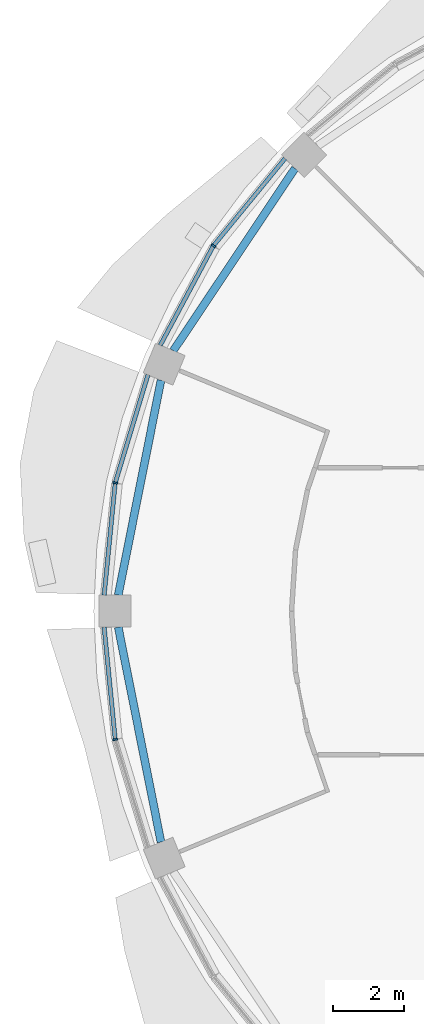
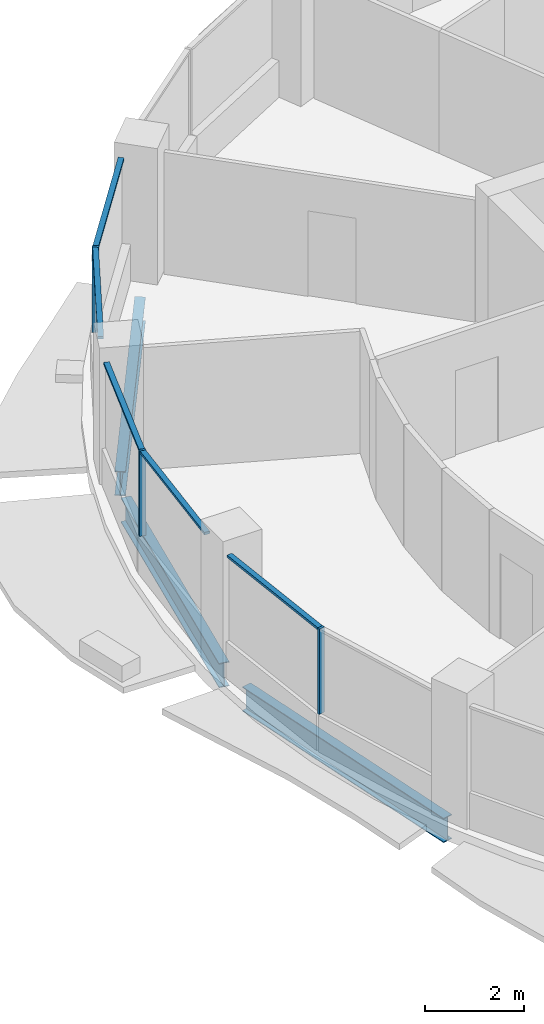
# One storey, part 4 of 15: 8 members, 3 beams, 3 elements without a shape of their own.
"""IFC4 building model written with IfcOpenShell, lengths in metres."""

from ifc_helpers import new_model, si_unit, direction, frame, origin, origin_2d, place, context, subcontext, project, spatial, rectangle, i_section, extrude, material, material_profile, profile_set, type_object, element, aggregate, save


model = new_model("IFC4")

# Units and contexts
model_context = context("Model", 3, precision=1e-05, world=origin(), true_north=direction((0.0, 1.0)))
body_context = subcontext(model_context, "Body", "Model", "MODEL_VIEW")
ifc_project = project(units=[si_unit("LENGTHUNIT", "METRE"), si_unit("AREAUNIT", "SQUARE_METRE"), si_unit("VOLUMEUNIT", "CUBIC_METRE"), si_unit("PLANEANGLEUNIT", "RADIAN"), si_unit("MASSUNIT", "GRAM", prefix="KILO")], contexts=[model_context])

# Site, building, storey
site_placement = place(None, origin())
site = spatial("IfcSite", under=ifc_project, at=site_placement, CompositionType="ELEMENT")
building_placement = place(site_placement, origin())
building = spatial("IfcBuilding", under=site, at=building_placement, Name="Polderwave Tower", CompositionType="ELEMENT")
storey_placement = place(building_placement, frame((0.0, 0.0, 167.550048828125)))
storey = spatial("IfcBuildingStorey", under=building, at=storey_placement, Name="L44", CompositionType="ELEMENT", Elevation=167.550048828125)

# Curtain wall, member
ifc_material_1 = material(Name="Aluminium 6063-T6 and glass", Category="aluminium")
curtain_wall_type = type_object("IfcCurtainWallType", Name="Office ribbon glazing wall", PredefinedType="NOTDEFINED", material=ifc_material_1)
curtain_wall_1_placement = place(storey_placement, origin())
curtain_wall_1 = element("IfcCurtainWall", 1, at=curtain_wall_1_placement, inside=storey, type_object=curtain_wall_type, Name="CW3 L44 06", PredefinedType="NOTDEFINED")
ifc_material_2 = material(Name="Aluminium 6063-T6", Category="aluminium")
ifc_material_profile_1 = material_profile(ifc_material_2, rectangle(XDim=0.139892578125, YDim=0.054931640625, at=origin_2d()), Name="AL 55x140")
ifc_profile_set_1 = profile_set([ifc_material_profile_1], Name="Aluminium 6063-T6")
member_type_1 = type_object("IfcMemberType", Name="Office ribbon glazing mullion 55x140", PredefinedType="MULLION", material=ifc_profile_set_1)
member_1_placement = place(storey_placement, frame((-15.341064453125, 10.25, 0.89990234375), z_axis=(0.0, 0.0, 1.0), x_axis=(0.831547176436, -0.555454132545, 0.0)))
member_1 = element("IfcMember", 2, at=member_1_placement, type_object=member_type_1, Name="CW3 mullion 1", PredefinedType="MULLION", context=body_context, shape_type="SweptSolid", body=[
    extrude(rectangle(XDim=0.139892578125, YDim=0.054931640625, at=origin_2d()), origin(), (0.0, 0.0, 1.0), 2.10009765625),
])

curtain_wall_2_placement = place(storey_placement, origin())
curtain_wall_2 = element("IfcCurtainWall", 3, at=curtain_wall_2_placement, inside=storey, type_object=curtain_wall_type, Name="CW3 L44 07", PredefinedType="NOTDEFINED")
member_2_placement = place(storey_placement, frame((-18.094970703125, 3.59912109375, 0.89990234375), z_axis=(0.0, 0.0, 1.0), x_axis=(0.980783918392, -0.195097169184, 0.0)))
member_2 = element("IfcMember", 4, at=member_2_placement, type_object=member_type_1, Name="CW3 mullion 1", PredefinedType="MULLION", context=body_context, shape_type="SweptSolid", body=[
    extrude(rectangle(XDim=0.139892578125, YDim=0.054931640625, at=origin_2d()), origin(), (0.0, 0.0, 1.0), 2.10009765625),
])

curtain_wall_3_placement = place(storey_placement, origin())
curtain_wall_3 = element("IfcCurtainWall", 5, at=curtain_wall_3_placement, inside=storey, type_object=curtain_wall_type, Name="CW3 L44 08", PredefinedType="NOTDEFINED")
member_3_placement = place(storey_placement, frame((-18.094970703125, -3.59912109375, 0.89990234375), z_axis=(0.0, 0.0, 1.0), x_axis=(0.980783918392, 0.195097169184, 0.0)))
member_3 = element("IfcMember", 6, at=member_3_placement, type_object=member_type_1, Name="CW3 mullion 1", PredefinedType="MULLION", context=body_context, shape_type="SweptSolid", body=[
    extrude(rectangle(XDim=0.139892578125, YDim=0.054931640625, at=origin_2d()), origin(), (0.0, 0.0, 1.0), 2.10009765625),
])

# Member
ifc_material_profile_2 = material_profile(ifc_material_2, rectangle(XDim=0.1201171875, YDim=0.06005859375, at=origin_2d()), Name="AL 60x120")
ifc_profile_set_2 = profile_set([ifc_material_profile_2], Name="Aluminium 6063-T6")
member_type_2 = type_object("IfcMemberType", Name="Office ribbon glazing transom 60x120", PredefinedType="USERDEFINED", material=ifc_profile_set_2)
member_4_placement = place(storey_placement, frame((-13.3330078125, 12.697021484375, 2.969970703125), z_axis=(-0.634334495686, -0.773058696079, 0.0), x_axis=(0.773058696079, -0.634334495686, 0.0)))
member_4 = element("IfcMember", 7, at=member_4_placement, type_object=member_type_2, Name="CW3 transom 1", ObjectType="TRANSOM", PredefinedType="USERDEFINED", context=body_context, shape_type="SweptSolid", body=[
    extrude(rectangle(XDim=0.1201171875, YDim=0.06005859375, at=origin_2d()), origin(), (0.0, 0.0, 1.0), 3.137939453125),
])

member_5_placement = place(storey_placement, frame((-15.35400390625, 10.2255859375, 2.969970703125), z_axis=(-0.471210255925, -0.882020915121, 0.0), x_axis=(0.882020915121, -0.471210255925, 0.0)))
member_5 = element("IfcMember", 8, at=member_5_placement, type_object=member_type_2, Name="CW3 transom 2", ObjectType="TRANSOM", PredefinedType="USERDEFINED", context=body_context, shape_type="SweptSolid", body=[
    extrude(rectangle(XDim=0.1201171875, YDim=0.06005859375, at=origin_2d()), origin(), (0.0, 0.0, 1.0), 3.13671875),
])

aggregate(curtain_wall_1, [member_1, member_4, member_5])

member_6_placement = place(storey_placement, frame((-17.177001953125, 6.6279296875, 2.969970703125), z_axis=(-0.29000955494, -0.957023749989, 0.0), x_axis=(0.957023749989, -0.29000955494, 0.0)))
member_6 = element("IfcMember", 9, at=member_6_placement, type_object=member_type_2, Name="CW3 transom 1", ObjectType="TRANSOM", PredefinedType="USERDEFINED", context=body_context, shape_type="SweptSolid", body=[
    extrude(rectangle(XDim=0.1201171875, YDim=0.06005859375, at=origin_2d()), origin(), (0.0, 0.0, 1.0), 3.137451171875),
])

member_7_placement = place(storey_placement, frame((-18.09765625, 3.571533203125, 2.969970703125), z_axis=(-0.098301492731, -0.995156679386, 0.0), x_axis=(0.995156679386, -0.098301492731, 0.0)))
member_7 = element("IfcMember", 10, at=member_7_placement, type_object=member_type_2, Name="CW3 transom 2", ObjectType="TRANSOM", PredefinedType="USERDEFINED", context=body_context, shape_type="SweptSolid", body=[
    extrude(rectangle(XDim=0.1201171875, YDim=0.06005859375, at=origin_2d()), origin(), (0.0, 0.0, 1.0), 3.13671875),
])

aggregate(curtain_wall_2, [member_2, member_6, member_7])

member_8_placement = place(storey_placement, frame((-18.406005859375, -0.449951171875, 2.969970703125), z_axis=(0.098301492731, -0.995156679386, 0.0), x_axis=(0.995156679386, 0.098301492731, 0.0)))
member_8 = element("IfcMember", 11, at=member_8_placement, type_object=member_type_2, Name="CW3 transom 1", ObjectType="TRANSOM", PredefinedType="USERDEFINED", context=body_context, shape_type="SweptSolid", body=[
    extrude(rectangle(XDim=0.1201171875, YDim=0.06005859375, at=origin_2d()), origin(), (0.0, 0.0, 1.0), 3.13671875),
])

aggregate(curtain_wall_3, [member_3, member_8])

# Beams
ifc_material_3 = material(Name="Steel S355", Category="steel")
ifc_material_profile_3 = material_profile(ifc_material_3, i_section(OverallWidth=0.219970703125, OverallDepth=0.60009765625, WebThickness=0.011962890625, FlangeThickness=0.01904296875, at=origin_2d()), Name="IPE 600")
ifc_profile_set_3 = profile_set([ifc_material_profile_3], Name="Steel S355")
beam_type = type_object("IfcBeamType", Name="RING BEAM IPE 600", PredefinedType="BEAM", material=ifc_profile_set_3)
for number, where, z_axis, x_axis, name in (
    (12, (-13.053466796875, 12.417236328125, -0.650146484375), (-0.555570937424, -0.831469141634, 0.0), (0.831469141634, -0.555570937424, 0.0), "ST-RB-L44-06"),
    (13, (-16.811767578125, 6.4765625, -0.650146484375), (-0.195084520666, -0.980786434346, 0.0), (0.980786434346, -0.195084520666, 0.0), "ST-RB-L44-07"),
    (14, (-18.010498046875, -0.449951171875, -0.650146484375), (0.195084520666, -0.980786434346, 0.0), (0.980786434346, 0.195084520666, 0.0), "ST-RB-L44-08"),
):
    element("IfcBeam", number, at=place(storey_placement, frame(where, z_axis=z_axis, x_axis=x_axis)), inside=storey, type_object=beam_type, Name=name, PredefinedType="BEAM", context=body_context, shape_type="SweptSolid", body=[
        extrude(i_section(OverallWidth=0.219970703125, OverallDepth=0.60009765625, WebThickness=0.011962890625, FlangeThickness=0.01904296875, at=origin_2d()), origin(), (0.0, 0.0, 1.0), 6.144775390625),
    ])

save(model, "model.ifc")
